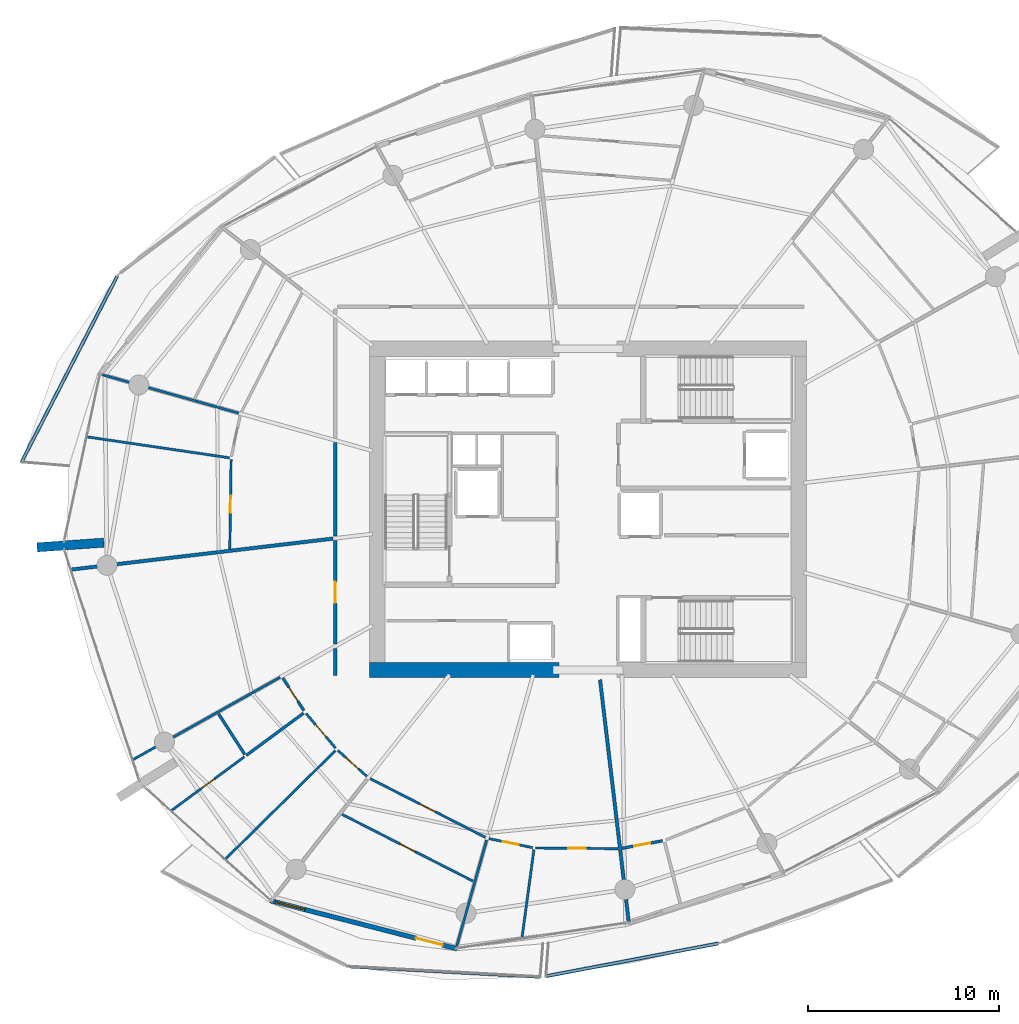
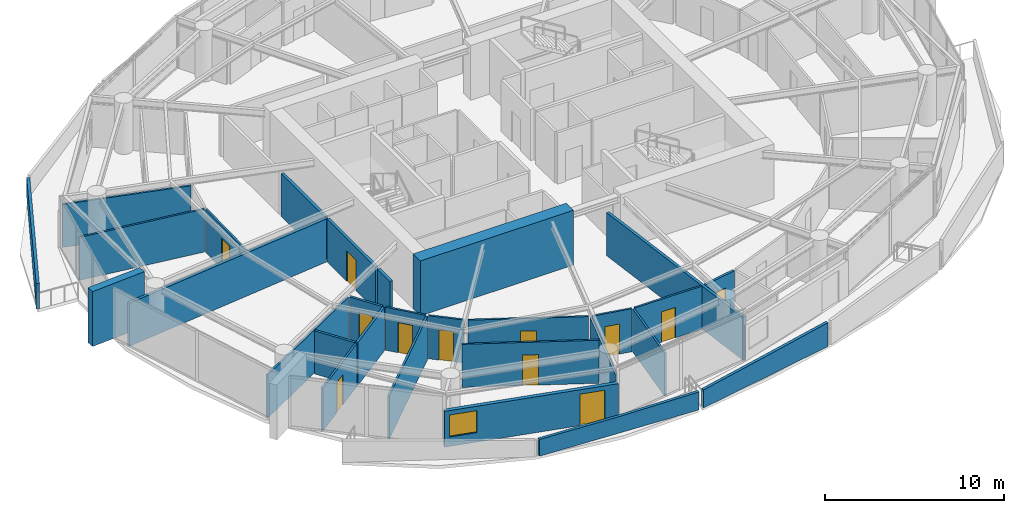
# One storey, part 11 of 20: 29 walls, 12 doors, 1 window, 13 openings.
"""IFC4 building model written with IfcOpenShell, lengths in metres."""

from ifc_helpers import new_model, si_unit, direction, frame, frame_2d, origin, place, context, subcontext, project, spatial, polyline, rectangle, outline, extrude, material, layer, layer_set, type_object, element, fill, save


model = new_model("IFC4")

# Units and contexts
model_context = context("Model", 3, precision=1e-05, world=origin(), true_north=direction((0.0, 1.0)))
body_context = subcontext(model_context, "Body", "Model", "MODEL_VIEW")
ifc_project = project(units=[si_unit("LENGTHUNIT", "METRE"), si_unit("AREAUNIT", "SQUARE_METRE"), si_unit("VOLUMEUNIT", "CUBIC_METRE"), si_unit("PLANEANGLEUNIT", "RADIAN"), si_unit("MASSUNIT", "GRAM", prefix="KILO")], contexts=[model_context])

# Site, building, storey
site_placement = place(None, origin())
site = spatial("IfcSite", under=ifc_project, at=site_placement, CompositionType="ELEMENT")
building_placement = place(site_placement, origin())
building = spatial("IfcBuilding", under=site, at=building_placement, Name="Kazma Halo Residences", CompositionType="ELEMENT")
storey_placement = place(building_placement, frame((0.0, 0.0, 161.550048828125)))
storey = spatial("IfcBuildingStorey", under=building, at=storey_placement, Name="L40", CompositionType="ELEMENT", Elevation=161.550048828125)

# Walls
ifc_material_1 = material(Name="White Concrete C50/60 Balustrade", Category="concrete")
ifc_layer_1 = layer(ifc_material_1, 0.179931640625)
ifc_layer_set_1 = layer_set([ifc_layer_1], Name="White Concrete C50/60 Balustrade")
wall_type_1 = type_object("IfcWallType", Name="WL-BAL-WAVE-180", PredefinedType="PARAPET", material=ifc_layer_set_1)
wall_1_placement = place(storey_placement, frame((23.795654296875, 54.197998046875, 0.0), z_axis=(0.0, 0.0, 1.0), x_axis=(-0.457378798552, -0.88927196888, 0.0)))
element("IfcWall", 1, at=wall_1_placement, inside=storey, type_object=wall_type_1, Name="L40 white wave balustrade wall NW.2", PredefinedType="PARAPET", context=body_context, shape_type="SweptSolid", body=[
    extrude(outline(polyline([(0.0, 0.0), (10.93017578125, 0.0), (10.930419921875, 1.7470703125), (5.465087890625, 1.56201171875), (0.0, 1.347900390625), (0.0, 0.0)])), frame((0.0, 0.08984375, 0.0), z_axis=(0.0, -1.0, 0.0), x_axis=(1.0, 0.0, 0.0)), (0.0, 0.0, 1.0), 0.179931640625),
])
wall_2_placement = place(storey_placement, frame((35.94287109375, 18.0947265625, 0.0), z_axis=(0.0, 0.0, 1.0), x_axis=(0.998521425171, -0.05435957574, 0.0)))
element("IfcWall", 2, at=wall_2_placement, inside=storey, type_object=wall_type_1, Name="L40 white wave balustrade wall SW.2", PredefinedType="PARAPET", context=body_context, shape_type="SweptSolid", body=[
    extrude(outline(polyline([(0.0, 0.0), (9.99755859375, 0.0), (9.99755859375, 1.223876953125), (4.998779296875, 1.126953125), (0.0, 1.14794921875), (0.0, 0.0)])), frame((0.0, 0.08984375, 0.0), z_axis=(0.0, -1.0, 0.0), x_axis=(1.0, 0.0, 0.0)), (0.0, 0.0, 1.0), 0.179931640625),
])
wall_3_placement = place(storey_placement, frame((46.228271484375, 17.582763671875, 0.0), z_axis=(0.0, 0.0, 1.0), x_axis=(0.982405045707, 0.186762753697, 0.0)))
element("IfcWall", 3, at=wall_3_placement, inside=storey, type_object=wall_type_1, Name="L40 white wave balustrade wall SSE.1", PredefinedType="PARAPET", context=body_context, shape_type="SweptSolid", body=[
    extrude(outline(polyline([(0.0, 0.0), (9.1845703125, 0.0), (9.184326171875, 1.6318359375), (4.59228515625, 1.41796875), (0.0, 1.23291015625), (0.0, 0.0)])), frame((0.0, 0.08984375, 0.0), z_axis=(0.0, -1.0, 0.0), x_axis=(1.0, 0.0, 0.0)), (0.0, 0.0, 1.0), 0.179931640625),
])
ifc_material_2 = material(Name="Pale Concrete C60/75", Category="concrete")
ifc_layer_2 = layer(ifc_material_2, 0.47998046875)
ifc_layer_set_2 = layer_set([ifc_layer_2], Name="Pale Concrete C60/75")
wall_type_2 = type_object("IfcWallType", Name="WL-BLADE-480", PredefinedType="SOLIDWALL", material=ifc_layer_set_2)
wall_4_placement = place(storey_placement, frame((23.10302734375, 40.259033203125, 0.0), z_axis=(0.0, 0.0, 1.0), x_axis=(-0.997564163539, -0.069754853754, 0.0)))
element("IfcWall", 4, at=wall_4_placement, inside=storey, type_object=wall_type_2, Name="L40 pale concrete structural blade fin wall BW-02", PredefinedType="SOLIDWALL", context=body_context, shape_type="SweptSolid", body=[
    extrude(rectangle(XDim=3.5, YDim=0.47998046875, at=frame_2d((1.75, 0.0))), origin(), (0.0, 0.0, 1.0), 3.75),
])
ifc_material_3 = material(Name="Concrete C80/95", Category="concrete")
ifc_layer_3 = layer(ifc_material_3, 0.800048828125)
ifc_layer_set_3 = layer_set([ifc_layer_3], Name="Concrete C80/95")
wall_type_3 = type_object("IfcWallType", Name="WL-CORE-800", PredefinedType="SHEAR", material=ifc_layer_set_3)
wall_5_placement = place(storey_placement, frame((37.0, 33.60009765625, 0.0), z_axis=(0.0, 0.0, 1.0), x_axis=(1.0, 0.0, 0.0)))
element("IfcWall", 5, at=wall_5_placement, inside=storey, type_object=wall_type_3, Name="L40 central core shear wall SW", PredefinedType="SHEAR", context=body_context, shape_type="SweptSolid", body=[
    extrude(rectangle(XDim=9.89990234375, YDim=0.800048828125, at=frame_2d((4.949951171875, 0.0))), origin(), (0.0, 0.0, 1.0), 3.75),
])
ifc_material_4 = material(Name="Acoustic Twin-Stud Gypsum")
ifc_layer_4 = layer(ifc_material_4, 0.179931640625)
ifc_layer_set_4 = layer_set([ifc_layer_4], Name="Acoustic Twin-Stud Gypsum")
wall_type_4 = type_object("IfcWallType", Name="WL-DEM-180", PredefinedType="PARTITIONING", material=ifc_layer_set_4)
wall_6_placement = place(storey_placement, frame((35.0908203125, 40.47216796875, 0.0), z_axis=(0.0, 0.0, 1.0), x_axis=(-0.993067434621, -0.11754603479, 0.0)))
element("IfcWall", 6, at=wall_6_placement, inside=storey, type_object=wall_type_4, Name="L40 apartment demising radial wall 07", PredefinedType="PARTITIONING", context=body_context, shape_type="SweptSolid", body=[
    extrude(rectangle(XDim=13.786865234375, YDim=0.179931640625, at=frame_2d((6.8935546875, 0.0))), origin(), (0.0, 0.0, 1.0), 2.93994140625),
])
wall_7_placement = place(storey_placement, frame((49.054443359375, 33.0908203125, 0.0), z_axis=(0.0, 0.0, 1.0), x_axis=(0.117543744731, -0.993067705685, 0.0)))
element("IfcWall", 7, at=wall_7_placement, inside=storey, type_object=wall_type_4, Name="L40 apartment demising radial wall 11", PredefinedType="PARTITIONING", context=body_context, shape_type="SweptSolid", body=[
    extrude(rectangle(XDim=12.76318359375, YDim=0.179931640625, at=frame_2d((6.381591796875, 0.0))), origin(), (0.0, 0.0, 1.0), 2.93994140625),
])
wall_8_placement = place(storey_placement, frame((35.199951171875, 45.489990234375, 0.0), z_axis=(0.0, 0.0, 1.0), x_axis=(0.0, -1.0, 0.0)))
element("IfcWall", 8, at=wall_8_placement, inside=storey, type_object=wall_type_4, Name="L40 Apartment 1 inner wall 6", PredefinedType="PARTITIONING", context=body_context, shape_type="SweptSolid", body=[
    extrude(rectangle(XDim=4.885009765625, YDim=0.179931640625, at=frame_2d((2.4423828125, 0.0))), origin(), (0.0, 0.0, 1.0), 2.93994140625),
])

# Wall, opening, door
wall_9_placement = place(storey_placement, frame((35.199951171875, 40.364990234375, 0.0), z_axis=(0.0, 0.0, 1.0), x_axis=(0.0, -1.0, 0.0)))
wall_9 = element("IfcWall", 9, at=wall_9_placement, inside=storey, type_object=wall_type_4, Name="L40 Apartment 2 entrance corridor wall", PredefinedType="PARTITIONING", context=body_context, shape_type="SweptSolid", body=[
    extrude(rectangle(XDim=5.413330078125, YDim=0.179931640625, at=frame_2d((2.70654296875, 0.0))), origin(), (0.0, 0.0, 1.0), 2.93994140625),
])
opening_1_placement = place(wall_9_placement, frame((2.156494140625, 0.0, 0.0)))
opening_1 = element("IfcOpeningElement", 10, at=opening_1_placement, cuts=wall_9, Name="Opening DA-1100", PredefinedType="OPENING", context=body_context, shape_type="SweptSolid", body=[
    extrude(rectangle(XDim=1.10009765625, YDim=2.10009765625, at=frame_2d((0.550048828125, 1.050048828125))), frame((0.0, 0.099853515625, 0.0), z_axis=(0.0, -1.0, 0.0), x_axis=(1.0, 0.0, 0.0)), (0.0, 0.0, 1.0), 0.199951171875),
])
ifc_material_5 = material(Name="Acoustic Walnut Fire Leaf")
door_type_1 = type_object("IfcDoorType", Name="DR-FD60-1100", OperationType="NOTDEFINED", PredefinedType="DOOR", material=ifc_material_5)
door_1_placement = place(opening_1_placement, origin())
door_1 = element("IfcDoor", 11, at=door_1_placement, inside=storey, type_object=door_type_1, Name="L40 Apartment 2 entrance fire door", OperationType="SINGLE_SWING_LEFT", OverallHeight=2.10009765625, OverallWidth=1.10009765625, PredefinedType="DOOR", context=body_context, shape_type="SweptSolid", body=[
    extrude(rectangle(XDim=1.10009765625, YDim=2.10009765625, at=frame_2d((0.550048828125, 1.050048828125))), frame((0.0, 0.02490234375, 0.0), z_axis=(0.0, -1.0, 0.0), x_axis=(1.0, 0.0, 0.0)), (0.0, 0.0, 1.0), 0.050048828125),
])
fill(opening_1, door_1)

# Wall
wall_10_placement = place(storey_placement, frame((35.199951171875, 34.711669921875, 0.0), z_axis=(0.0, 0.0, 1.0), x_axis=(0.0, -1.0, 0.0)))
element("IfcWall", 12, at=wall_10_placement, inside=storey, type_object=wall_type_4, Name="L40 Apartment 2 inner wall 8", PredefinedType="PARTITIONING", context=body_context, shape_type="SweptSolid", body=[
    extrude(rectangle(XDim=1.3916015625, YDim=0.179931640625, at=frame_2d((0.69580078125, 0.0))), origin(), (0.0, 0.0, 1.0), 2.93994140625),
])

# Wall, openings, door, window
ifc_material_6 = material(Name="Insulated Pale-Metal Composite Wall")
ifc_layer_5 = layer(ifc_material_6, 0.239990234375)
ifc_layer_set_5 = layer_set([ifc_layer_5], Name="Insulated Pale-Metal Composite Wall")
wall_type_5 = type_object("IfcWallType", Name="WL-EXT-HOST-240", PredefinedType="SOLIDWALL", material=ifc_layer_set_5)
wall_11_placement = place(storey_placement, frame((31.807861328125, 21.5341796875, 0.0), z_axis=(0.0, 0.0, 1.0), x_axis=(0.968379685126, -0.249481032214, 0.0)))
wall_11 = element("IfcWall", 13, at=wall_11_placement, inside=storey, type_object=wall_type_5, Name="L40 exterior terrace-access wall B10", PredefinedType="SOLIDWALL", context=body_context, shape_type="SweptSolid", body=[
    extrude(rectangle(XDim=10.08154296875, YDim=0.239990234375, at=frame_2d((5.040771484375, 0.0))), origin(), (0.0, 0.0, 1.0), 2.449951171875),
])
opening_2_placement = place(wall_11_placement, frame((7.861572265625, 0.0, 0.0)))
opening_2 = element("IfcOpeningElement", 14, at=opening_2_placement, cuts=wall_11, Name="Opening DTR-1600", PredefinedType="OPENING", context=body_context, shape_type="SweptSolid", body=[
    extrude(rectangle(XDim=1.449951171875, YDim=2.14990234375, at=frame_2d((0.72509765625, 1.074951171875))), frame((0.0, 0.1298828125, 0.0), z_axis=(0.0, -1.0, 0.0), x_axis=(1.0, 0.0, 0.0)), (0.0, 0.0, 1.0), 0.260009765625),
])
opening_3_placement = place(wall_11_placement, frame((0.280029296875, 0.0, 0.64990234375)))
opening_3 = element("IfcOpeningElement", 15, at=opening_3_placement, cuts=wall_11, Name="Opening W-1800", PredefinedType="OPENING", context=body_context, shape_type="SweptSolid", body=[
    extrude(rectangle(XDim=1.60009765625, YDim=1.5, at=frame_2d((0.800048828125, 0.75))), frame((0.0, 0.1298828125, 0.0), z_axis=(0.0, -1.0, 0.0), x_axis=(1.0, 0.0, 0.0)), (0.0, 0.0, 1.0), 0.260009765625),
])
ifc_material_7 = material(Name="Aluminium AW-6063 T6 Double-Glazed Terrace Door", Category="aluminium")
door_type_2 = type_object("IfcDoorType", Name="DR-EXT-TERR-1600", OperationType="NOTDEFINED", PredefinedType="DOOR", material=ifc_material_7)
door_2_placement = place(opening_2_placement, origin())
door_2 = element("IfcDoor", 16, at=door_2_placement, inside=storey, type_object=door_type_2, Name="L40 B10 balcony terrace door", OperationType="DOUBLE_DOOR_SLIDING", OverallHeight=2.14990234375, OverallWidth=1.449951171875, PredefinedType="DOOR", context=body_context, shape_type="SweptSolid", body=[
    extrude(rectangle(XDim=1.449951171875, YDim=2.14990234375, at=frame_2d((0.72509765625, 1.074951171875))), frame((0.0, 0.02490234375, 0.0), z_axis=(0.0, -1.0, 0.0), x_axis=(1.0, 0.0, 0.0)), (0.0, 0.0, 1.0), 0.050048828125),
])
fill(opening_2, door_2)
ifc_material_8 = material(Name="Clear Triple-Silver Low-E Glass in Aluminium AW-6063 T6 Frame", Category="aluminium")
window_type = type_object("IfcWindowType", Name="WIN-RES-1800", PartitioningType="DOUBLE_PANEL_VERTICAL", PredefinedType="WINDOW", material=ifc_material_8)
window_placement = place(opening_3_placement, origin())
window = element("IfcWindow", 17, at=window_placement, inside=storey, type_object=window_type, Name="L40 B10 apartment window", OverallHeight=1.5, OverallWidth=1.60009765625, PartitioningType="SINGLE_PANEL", PredefinedType="WINDOW", context=body_context, shape_type="SweptSolid", body=[
    extrude(rectangle(XDim=1.60009765625, YDim=1.5, at=frame_2d((0.800048828125, 0.75))), frame((0.0, 0.030029296875, 0.0), z_axis=(0.0, -1.0, 0.0), x_axis=(1.0, 0.0, 0.0)), (0.0, 0.0, 1.0), 0.06005859375),
])
fill(opening_3, window)

# Walls
ifc_material_9 = material(Name="Gypsum Plasterboard Partition")
ifc_layer_6 = layer(ifc_material_9, 0.125)
ifc_layer_set_6 = layer_set([ifc_layer_6], Name="Gypsum Plasterboard Partition")
wall_type_6 = type_object("IfcWallType", Name="WL-PART-125", PredefinedType="PARTITIONING", material=ifc_layer_set_6)
wall_12_placement = place(storey_placement, frame((30.156982421875, 47.0322265625, 0.0), z_axis=(0.0, 0.0, 1.0), x_axis=(-0.962456736489, 0.271435131084, 0.0)))
element("IfcWall", 18, at=wall_12_placement, inside=storey, type_object=wall_type_6, Name="L40 Apartment 1 radial partition 6", PredefinedType="PARTITIONING", context=body_context, shape_type="SweptSolid", body=[
    extrude(rectangle(XDim=7.412353515625, YDim=0.125, at=frame_2d((3.7060546875, 0.0))), origin(), (0.0, 0.0, 1.0), 2.93994140625),
])
wall_13_placement = place(storey_placement, frame((29.66845703125, 44.697265625, 0.0), z_axis=(0.0, 0.0, 1.0), x_axis=(-0.989352403942, 0.145539756815, 0.0)))
element("IfcWall", 19, at=wall_13_placement, inside=storey, type_object=wall_type_6, Name="L40 Apartment 1 mid-bay wall 6", PredefinedType="PARTITIONING", context=body_context, shape_type="SweptSolid", body=[
    extrude(rectangle(XDim=7.525146484375, YDim=0.125, at=frame_2d((3.7626953125, 0.0))), origin(), (0.0, 0.0, 1.0), 2.93994140625),
])

# Wall, opening, door
wall_14_placement = place(storey_placement, frame((29.75634765625, 44.60400390625, 0.0), z_axis=(0.0, 0.0, 1.0), x_axis=(-0.014161849223, -0.999899715985, 0.0)))
wall_14 = element("IfcWall", 20, at=wall_14_placement, inside=storey, type_object=wall_type_6, Name="L40 Apartment 1 South Formal Dining Room hall wall", PredefinedType="PARTITIONING", context=body_context, shape_type="SweptSolid", body=[
    extrude(rectangle(XDim=4.671875, YDim=0.125, at=frame_2d((2.3359375, 0.0))), origin(), (0.0, 0.0, 1.0), 2.93994140625),
])
opening_4_placement = place(wall_14_placement, frame((1.885986328125, 0.0, 0.0)))
opening_4 = element("IfcOpeningElement", 21, at=opening_4_placement, cuts=wall_14, Name="Opening DI-950", PredefinedType="OPENING", context=body_context, shape_type="SweptSolid", body=[
    extrude(rectangle(XDim=0.89990234375, YDim=2.080078125, at=frame_2d((0.449951171875, 1.0400390625))), frame((0.0, 0.072509765625, 0.0), z_axis=(0.0, -1.0, 0.0), x_axis=(1.0, 0.0, 0.0)), (0.0, 0.0, 1.0), 0.14501953125),
])
ifc_material_10 = material(Name="Timber Veneer Flush Leaf", Category="wood")
door_type_3 = type_object("IfcDoorType", Name="DR-INT-950", OperationType="NOTDEFINED", PredefinedType="DOOR", material=ifc_material_10)
door_3_placement = place(opening_4_placement, origin())
door_3 = element("IfcDoor", 22, at=door_3_placement, inside=storey, type_object=door_type_3, Name="L40 Apartment 1 South Formal Dining Room door", OperationType="SINGLE_SWING_RIGHT", OverallHeight=2.080078125, OverallWidth=0.89990234375, PredefinedType="DOOR", context=body_context, shape_type="SweptSolid", body=[
    extrude(rectangle(XDim=0.89990234375, YDim=2.080078125, at=frame_2d((0.449951171875, 1.0400390625))), frame((0.0, 0.02490234375, 0.0), z_axis=(0.0, -1.0, 0.0), x_axis=(1.0, 0.0, 0.0)), (0.0, 0.0, 1.0), 0.050048828125),
])
fill(opening_4, door_3)

# Wall
wall_15_placement = place(storey_placement, frame((32.3212890625, 33.219482421875, 0.0), z_axis=(0.0, 0.0, 1.0), x_axis=(-0.872493265844, -0.488626136281, 0.0)))
element("IfcWall", 23, at=wall_15_placement, inside=storey, type_object=wall_type_6, Name="L40 Apartment 2 radial partition 8", PredefinedType="PARTITIONING", context=body_context, shape_type="SweptSolid", body=[
    extrude(rectangle(XDim=8.816162109375, YDim=0.125, at=frame_2d((4.408203125, 0.0))), origin(), (0.0, 0.0, 1.0), 2.93994140625),
])

# Wall, opening, door
wall_16_placement = place(storey_placement, frame((30.4462890625, 29.055908203125, 0.0), z_axis=(0.0, 0.0, 1.0), x_axis=(-0.804837038538, -0.593495864684, 0.0)))
wall_16 = element("IfcWall", 24, at=wall_16_placement, inside=storey, type_object=wall_type_6, Name="L40 Apartment 2 Utility Laundry Room partition wall", PredefinedType="PARTITIONING", context=body_context, shape_type="SweptSolid", body=[
    extrude(rectangle(XDim=4.740966796875, YDim=0.125, at=frame_2d((2.37060546875, 0.0))), origin(), (0.0, 0.0, 1.0), 2.93994140625),
])
opening_5_placement = place(wall_16_placement, frame((1.945556640625, 0.0, 0.0)))
opening_5 = element("IfcOpeningElement", 25, at=opening_5_placement, cuts=wall_16, Name="Opening DB-900", PredefinedType="OPENING", context=body_context, shape_type="SweptSolid", body=[
    extrude(rectangle(XDim=0.85009765625, YDim=2.06005859375, at=frame_2d((0.425048828125, 1.030029296875))), frame((0.0, 0.072509765625, 0.0), z_axis=(0.0, -1.0, 0.0), x_axis=(1.0, 0.0, 0.0)), (0.0, 0.0, 1.0), 0.14501953125),
])
ifc_material_11 = material(Name="Moisture-Sealed Timber Leaf", Category="wood")
door_type_4 = type_object("IfcDoorType", Name="DR-BTH-900", OperationType="NOTDEFINED", PredefinedType="DOOR", material=ifc_material_11)
door_4_placement = place(opening_5_placement, origin())
door_4 = element("IfcDoor", 26, at=door_4_placement, inside=storey, type_object=door_type_4, Name="L40 Apartment 2 Utility Laundry Room door", OperationType="SINGLE_SWING_RIGHT", OverallHeight=2.06005859375, OverallWidth=0.85009765625, PredefinedType="DOOR", context=body_context, shape_type="SweptSolid", body=[
    extrude(rectangle(XDim=0.85009765625, YDim=2.06005859375, at=frame_2d((0.425048828125, 1.030029296875))), frame((0.0, 0.02490234375, 0.0), z_axis=(0.0, -1.0, 0.0), x_axis=(1.0, 0.0, 0.0)), (0.0, 0.0, 1.0), 0.050048828125),
])
fill(opening_5, door_4)

# Wall
wall_17_placement = place(storey_placement, frame((35.215087890625, 29.385986328125, 0.0), z_axis=(0.0, 0.0, 1.0), x_axis=(-0.711845690147, -0.702335897857, 0.0)))
element("IfcWall", 27, at=wall_17_placement, inside=storey, type_object=wall_type_6, Name="L40 Apartment 2 suite divider 8", PredefinedType="PARTITIONING", context=body_context, shape_type="SweptSolid", body=[
    extrude(rectangle(XDim=8.0869140625, YDim=0.125, at=frame_2d((4.04345703125, 0.0))), origin(), (0.0, 0.0, 1.0), 2.93994140625),
])

# Wall, opening, door
wall_18_placement = place(storey_placement, frame((33.676025390625, 31.325927734375, 0.0), z_axis=(0.0, 0.0, 1.0), x_axis=(0.649527713292, -0.760337918077, 0.0)))
wall_18 = element("IfcWall", 28, at=wall_18_placement, inside=storey, type_object=wall_type_6, Name="L40 Apartment 2 Gourmet Kitchen hall wall", PredefinedType="PARTITIONING", context=body_context, shape_type="SweptSolid", body=[
    extrude(rectangle(XDim=2.38818359375, YDim=0.125, at=frame_2d((1.194091796875, 0.0))), origin(), (0.0, 0.0, 1.0), 2.93994140625),
])
opening_6_placement = place(wall_18_placement, frame((0.76904296875, 0.0, 0.0)))
opening_6 = element("IfcOpeningElement", 29, at=opening_6_placement, cuts=wall_18, Name="Opening DB-900", PredefinedType="OPENING", context=body_context, shape_type="SweptSolid", body=[
    extrude(rectangle(XDim=0.85009765625, YDim=2.06005859375, at=frame_2d((0.425048828125, 1.030029296875))), frame((0.0, 0.072509765625, 0.0), z_axis=(0.0, -1.0, 0.0), x_axis=(1.0, 0.0, 0.0)), (0.0, 0.0, 1.0), 0.14501953125),
])
door_5_placement = place(opening_6_placement, origin())
door_5 = element("IfcDoor", 30, at=door_5_placement, inside=storey, type_object=door_type_4, Name="L40 Apartment 2 Gourmet Kitchen door", OperationType="SINGLE_SWING_LEFT", OverallHeight=2.06005859375, OverallWidth=0.85009765625, PredefinedType="DOOR", context=body_context, shape_type="SweptSolid", body=[
    extrude(rectangle(XDim=0.85009765625, YDim=2.06005859375, at=frame_2d((0.425048828125, 1.030029296875))), frame((0.0, 0.02490234375, 0.0), z_axis=(0.0, -1.0, 0.0), x_axis=(1.0, 0.0, 0.0)), (0.0, 0.0, 1.0), 0.050048828125),
])
fill(opening_6, door_5)

wall_19_placement = place(storey_placement, frame((35.3388671875, 29.39599609375, 0.0), z_axis=(0.0, 0.0, 1.0), x_axis=(0.745310033914, -0.666718046364, 0.0)))
wall_19 = element("IfcWall", 31, at=wall_19_placement, inside=storey, type_object=wall_type_6, Name="L40 Apartment 2 Primary Bedroom hall wall", PredefinedType="PARTITIONING", context=body_context, shape_type="SweptSolid", body=[
    extrude(rectangle(XDim=2.0439453125, YDim=0.125, at=frame_2d((1.02197265625, 0.0))), origin(), (0.0, 0.0, 1.0), 2.93994140625),
])
opening_7_placement = place(wall_19_placement, frame((0.596923828125, 0.0, 0.0)))
opening_7 = element("IfcOpeningElement", 32, at=opening_7_placement, cuts=wall_19, Name="Opening DB-900", PredefinedType="OPENING", context=body_context, shape_type="SweptSolid", body=[
    extrude(rectangle(XDim=0.85009765625, YDim=2.06005859375, at=frame_2d((0.425048828125, 1.030029296875))), frame((0.0, 0.072509765625, 0.0), z_axis=(0.0, -1.0, 0.0), x_axis=(1.0, 0.0, 0.0)), (0.0, 0.0, 1.0), 0.14501953125),
])
door_6_placement = place(opening_7_placement, origin())
door_6 = element("IfcDoor", 33, at=door_6_placement, inside=storey, type_object=door_type_4, Name="L40 Apartment 2 Primary Bedroom door", OperationType="SINGLE_SWING_RIGHT", OverallHeight=2.06005859375, OverallWidth=0.85009765625, PredefinedType="DOOR", context=body_context, shape_type="SweptSolid", body=[
    extrude(rectangle(XDim=0.85009765625, YDim=2.06005859375, at=frame_2d((0.425048828125, 1.030029296875))), frame((0.0, 0.02490234375, 0.0), z_axis=(0.0, -1.0, 0.0), x_axis=(1.0, 0.0, 0.0)), (0.0, 0.0, 1.0), 0.050048828125),
])
fill(opening_7, door_6)

wall_20_placement = place(storey_placement, frame((37.034912109375, 27.91650390625, 0.0), z_axis=(0.0, 0.0, 1.0), x_axis=(0.89100279738, -0.453997813939, 0.0)))
wall_20 = element("IfcWall", 34, at=wall_20_placement, inside=storey, type_object=wall_type_6, Name="L40 Apartment 2 Primary Study hall wall", PredefinedType="PARTITIONING", context=body_context, shape_type="SweptSolid", body=[
    extrude(rectangle(XDim=6.752685546875, YDim=0.125, at=frame_2d((3.37646484375, 0.0))), origin(), (0.0, 0.0, 1.0), 2.93994140625),
])
opening_8_placement = place(wall_20_placement, frame((2.92626953125, 0.0, 0.0)))
opening_8 = element("IfcOpeningElement", 35, at=opening_8_placement, cuts=wall_20, Name="Opening DI-950", PredefinedType="OPENING", context=body_context, shape_type="SweptSolid", body=[
    extrude(rectangle(XDim=0.89990234375, YDim=2.080078125, at=frame_2d((0.449951171875, 1.0400390625))), frame((0.0, 0.072509765625, 0.0), z_axis=(0.0, -1.0, 0.0), x_axis=(1.0, 0.0, 0.0)), (0.0, 0.0, 1.0), 0.14501953125),
])
door_7_placement = place(opening_8_placement, origin())
door_7 = element("IfcDoor", 36, at=door_7_placement, inside=storey, type_object=door_type_3, Name="L40 Apartment 2 Primary Study door", OperationType="SINGLE_SWING_RIGHT", OverallHeight=2.080078125, OverallWidth=0.89990234375, PredefinedType="DOOR", context=body_context, shape_type="SweptSolid", body=[
    extrude(rectangle(XDim=0.89990234375, YDim=2.080078125, at=frame_2d((0.449951171875, 1.0400390625))), frame((0.0, 0.02490234375, 0.0), z_axis=(0.0, -1.0, 0.0), x_axis=(1.0, 0.0, 0.0)), (0.0, 0.0, 1.0), 0.050048828125),
])
fill(opening_8, door_7)

wall_21_placement = place(storey_placement, frame((35.561279296875, 26.04736328125, 0.0), z_axis=(0.0, 0.0, 1.0), x_axis=(0.891013298813, -0.453977203544, 0.0)))
wall_21 = element("IfcWall", 37, at=wall_21_placement, inside=storey, type_object=wall_type_6, Name="L40 Apartment 2 Secondary Master Bedroom divider wall", PredefinedType="PARTITIONING", context=body_context, shape_type="SweptSolid", body=[
    extrude(rectangle(XDim=7.68115234375, YDim=0.125, at=frame_2d((3.840576171875, 0.0))), origin(), (0.0, 0.0, 1.0), 2.93994140625),
])
opening_9_placement = place(wall_21_placement, frame((3.390625, 0.0, 0.0)))
opening_9 = element("IfcOpeningElement", 38, at=opening_9_placement, cuts=wall_21, Name="Opening DI-950", PredefinedType="OPENING", context=body_context, shape_type="SweptSolid", body=[
    extrude(rectangle(XDim=0.89990234375, YDim=2.080078125, at=frame_2d((0.449951171875, 1.0400390625))), frame((0.0, 0.072509765625, 0.0), z_axis=(0.0, -1.0, 0.0), x_axis=(1.0, 0.0, 0.0)), (0.0, 0.0, 1.0), 0.14501953125),
])
door_8_placement = place(opening_9_placement, origin())
door_8 = element("IfcDoor", 39, at=door_8_placement, inside=storey, type_object=door_type_3, Name="L40 Apartment 2 Secondary Master Bedroom door", OperationType="SINGLE_SWING_LEFT", OverallHeight=2.080078125, OverallWidth=0.89990234375, PredefinedType="DOOR", context=body_context, shape_type="SweptSolid", body=[
    extrude(rectangle(XDim=0.89990234375, YDim=2.080078125, at=frame_2d((0.449951171875, 1.0400390625))), frame((0.0, 0.02490234375, 0.0), z_axis=(0.0, -1.0, 0.0), x_axis=(1.0, 0.0, 0.0)), (0.0, 0.0, 1.0), 0.050048828125),
])
fill(opening_9, door_8)

# Walls
wall_22_placement = place(storey_placement, frame((43.122314453125, 24.70458984375, 0.0), z_axis=(0.0, 0.0, 1.0), x_axis=(-0.271461170106, -0.962449392501, 0.0)))
element("IfcWall", 40, at=wall_22_placement, inside=storey, type_object=wall_type_6, Name="L40 Apartment 2 radial partition 10", PredefinedType="PARTITIONING", context=body_context, shape_type="SweptSolid", body=[
    extrude(rectangle(XDim=5.769287109375, YDim=0.125, at=frame_2d((2.884765625, 0.0))), origin(), (0.0, 0.0, 1.0), 2.93994140625),
])
wall_23_placement = place(storey_placement, frame((45.59521484375, 24.20166015625, 0.0), z_axis=(0.0, 0.0, 1.0), x_axis=(-0.133913732336, -0.990992993059, 0.0)))
element("IfcWall", 41, at=wall_23_placement, inside=storey, type_object=wall_type_6, Name="L40 Apartment 2 mid-bay wall 10", PredefinedType="PARTITIONING", context=body_context, shape_type="SweptSolid", body=[
    extrude(rectangle(XDim=4.6689453125, YDim=0.125, at=frame_2d((2.33447265625, 0.0))), origin(), (0.0, 0.0, 1.0), 2.93994140625),
])

# Wall, opening, door
wall_24_placement = place(storey_placement, frame((43.247314453125, 24.780517578125, 0.0), z_axis=(0.0, 0.0, 1.0), x_axis=(0.979144850172, -0.203163388388, 0.0)))
wall_24 = element("IfcWall", 42, at=wall_24_placement, inside=storey, type_object=wall_type_6, Name="L40 Apartment 2 East Bedroom hall wall", PredefinedType="PARTITIONING", context=body_context, shape_type="SweptSolid", body=[
    extrude(rectangle(XDim=2.330078125, YDim=0.125, at=frame_2d((1.1650390625, 0.0))), origin(), (0.0, 0.0, 1.0), 2.93994140625),
])
opening_10_placement = place(wall_24_placement, frame((0.739990234375, 0.0, 0.0)))
opening_10 = element("IfcOpeningElement", 43, at=opening_10_placement, cuts=wall_24, Name="Opening DB-900", PredefinedType="OPENING", context=body_context, shape_type="SweptSolid", body=[
    extrude(rectangle(XDim=0.85009765625, YDim=2.06005859375, at=frame_2d((0.425048828125, 1.030029296875))), frame((0.0, 0.072509765625, 0.0), z_axis=(0.0, -1.0, 0.0), x_axis=(1.0, 0.0, 0.0)), (0.0, 0.0, 1.0), 0.14501953125),
])
door_9_placement = place(opening_10_placement, origin())
door_9 = element("IfcDoor", 44, at=door_9_placement, inside=storey, type_object=door_type_4, Name="L40 Apartment 2 East Bedroom door", OperationType="SINGLE_SWING_LEFT", OverallHeight=2.06005859375, OverallWidth=0.85009765625, PredefinedType="DOOR", context=body_context, shape_type="SweptSolid", body=[
    extrude(rectangle(XDim=0.85009765625, YDim=2.06005859375, at=frame_2d((0.425048828125, 1.030029296875))), frame((0.0, 0.02490234375, 0.0), z_axis=(0.0, -1.0, 0.0), x_axis=(1.0, 0.0, 0.0)), (0.0, 0.0, 1.0), 0.050048828125),
])
fill(opening_10, door_9)

wall_25_placement = place(storey_placement, frame((45.687255859375, 24.290283203125, 0.0), z_axis=(0.0, 0.0, 1.0), x_axis=(0.999965854942, -0.008263712844, 0.0)))
wall_25 = element("IfcWall", 45, at=wall_25_placement, inside=storey, type_object=wall_type_6, Name="L40 Apartment 2 West Bedroom hall wall", PredefinedType="PARTITIONING", context=body_context, shape_type="SweptSolid", body=[
    extrude(rectangle(XDim=4.3134765625, YDim=0.125, at=frame_2d((2.15673828125, 0.0))), origin(), (0.0, 0.0, 1.0), 2.93994140625),
])
opening_11_placement = place(wall_25_placement, frame((1.706787109375, 0.0, 0.0)))
opening_11 = element("IfcOpeningElement", 46, at=opening_11_placement, cuts=wall_25, Name="Opening DI-950", PredefinedType="OPENING", context=body_context, shape_type="SweptSolid", body=[
    extrude(rectangle(XDim=0.89990234375, YDim=2.080078125, at=frame_2d((0.449951171875, 1.0400390625))), frame((0.0, 0.072509765625, 0.0), z_axis=(0.0, -1.0, 0.0), x_axis=(1.0, 0.0, 0.0)), (0.0, 0.0, 1.0), 0.14501953125),
])
door_10_placement = place(opening_11_placement, origin())
door_10 = element("IfcDoor", 47, at=door_10_placement, inside=storey, type_object=door_type_3, Name="L40 Apartment 2 West Bedroom door", OperationType="SINGLE_SWING_RIGHT", OverallHeight=2.080078125, OverallWidth=0.89990234375, PredefinedType="DOOR", context=body_context, shape_type="SweptSolid", body=[
    extrude(rectangle(XDim=0.89990234375, YDim=2.080078125, at=frame_2d((0.449951171875, 1.0400390625))), frame((0.0, 0.02490234375, 0.0), z_axis=(0.0, -1.0, 0.0), x_axis=(1.0, 0.0, 0.0)), (0.0, 0.0, 1.0), 0.050048828125),
])
fill(opening_11, door_10)

ifc_material_12 = material(Name="Moisture-Resistant Gypsum")
ifc_layer_7 = layer(ifc_material_12, 0.14990234375)
ifc_layer_set_7 = layer_set([ifc_layer_7], Name="Moisture-Resistant Gypsum")
wall_type_7 = type_object("IfcWallType", Name="WL-WET-150", PredefinedType="PARTITIONING", material=ifc_layer_set_7)
wall_26_placement = place(storey_placement, frame((32.462646484375, 33.184326171875, 0.0), z_axis=(0.0, 0.0, 1.0), x_axis=(0.542099612135, -0.840314233203, 0.0)))
wall_26 = element("IfcWall", 48, at=wall_26_placement, inside=storey, type_object=wall_type_7, Name="L40 Apartment 2 Guest Bathroom hall wall", PredefinedType="PARTITIONING", context=body_context, shape_type="SweptSolid", body=[
    extrude(rectangle(XDim=2.0400390625, YDim=0.14990234375, at=frame_2d((1.02001953125, 0.0))), origin(), (0.0, 0.0, 1.0), 2.93994140625),
])
opening_12_placement = place(wall_26_placement, frame((0.59521484375, 0.0, 0.0)))
opening_12 = element("IfcOpeningElement", 49, at=opening_12_placement, cuts=wall_26, Name="Opening DB-900", PredefinedType="OPENING", context=body_context, shape_type="SweptSolid", body=[
    extrude(rectangle(XDim=0.85009765625, YDim=2.06005859375, at=frame_2d((0.425048828125, 1.030029296875))), frame((0.0, 0.0849609375, 0.0), z_axis=(0.0, -1.0, 0.0), x_axis=(1.0, 0.0, 0.0)), (0.0, 0.0, 1.0), 0.169921875),
])
door_11_placement = place(opening_12_placement, origin())
door_11 = element("IfcDoor", 50, at=door_11_placement, inside=storey, type_object=door_type_4, Name="L40 Apartment 2 Guest Bathroom door", OperationType="SINGLE_SWING_LEFT", OverallHeight=2.06005859375, OverallWidth=0.85009765625, PredefinedType="DOOR", context=body_context, shape_type="SweptSolid", body=[
    extrude(rectangle(XDim=0.85009765625, YDim=2.06005859375, at=frame_2d((0.425048828125, 1.030029296875))), frame((0.0, 0.02490234375, 0.0), z_axis=(0.0, -1.0, 0.0), x_axis=(1.0, 0.0, 0.0)), (0.0, 0.0, 1.0), 0.050048828125),
])
fill(opening_12, door_11)

# Walls
wall_27_placement = place(storey_placement, frame((29.103515625, 31.302978515625, 0.0), z_axis=(0.0, 0.0, 1.0), x_axis=(0.542142313724, -0.840286684216, 0.0)))
element("IfcWall", 51, at=wall_27_placement, inside=storey, type_object=wall_type_7, Name="L40 Apartment 2 Guest Bathroom back wall", PredefinedType="PARTITIONING", context=body_context, shape_type="SweptSolid", body=[
    extrude(rectangle(XDim=2.5205078125, YDim=0.14990234375, at=frame_2d((1.26025390625, 0.0))), origin(), (0.0, 0.0, 1.0), 2.93994140625),
])
wall_28_placement = place(storey_placement, frame((33.545166015625, 31.3408203125, 0.0), z_axis=(0.0, 0.0, 1.0), x_axis=(-0.804856199216, -0.593469880097, 0.0)))
element("IfcWall", 52, at=wall_28_placement, inside=storey, type_object=wall_type_7, Name="L40 Apartment 2 Guest Bathroom side wall", PredefinedType="PARTITIONING", context=body_context, shape_type="SweptSolid", body=[
    extrude(rectangle(XDim=3.72021484375, YDim=0.14990234375, at=frame_2d((1.860107421875, 0.0))), origin(), (0.0, 0.0, 1.0), 2.93994140625),
])

# Wall, opening, door
wall_29_placement = place(storey_placement, frame((50.19873046875, 24.272216796875, 0.0), z_axis=(0.0, 0.0, 1.0), x_axis=(0.98320468223, 0.182506309042, 0.0)))
wall_29 = element("IfcWall", 53, at=wall_29_placement, inside=storey, type_object=wall_type_7, Name="L40 Apartment 3 Guest Bathroom hall wall", PredefinedType="PARTITIONING", context=body_context, shape_type="SweptSolid", body=[
    extrude(rectangle(XDim=2.1591796875, YDim=0.14990234375, at=frame_2d((1.07958984375, 0.0))), origin(), (0.0, 0.0, 1.0), 2.93994140625),
])
opening_13_placement = place(wall_29_placement, frame((0.654541015625, 0.0, 0.0)))
opening_13 = element("IfcOpeningElement", 54, at=opening_13_placement, cuts=wall_29, Name="Opening DB-900", PredefinedType="OPENING", context=body_context, shape_type="SweptSolid", body=[
    extrude(rectangle(XDim=0.85009765625, YDim=2.06005859375, at=frame_2d((0.425048828125, 1.030029296875))), frame((0.0, 0.0849609375, 0.0), z_axis=(0.0, -1.0, 0.0), x_axis=(1.0, 0.0, 0.0)), (0.0, 0.0, 1.0), 0.169921875),
])
door_12_placement = place(opening_13_placement, origin())
door_12 = element("IfcDoor", 55, at=door_12_placement, inside=storey, type_object=door_type_4, Name="L40 Apartment 3 Guest Bathroom door", OperationType="SINGLE_SWING_RIGHT", OverallHeight=2.06005859375, OverallWidth=0.85009765625, PredefinedType="DOOR", context=body_context, shape_type="SweptSolid", body=[
    extrude(rectangle(XDim=0.85009765625, YDim=2.06005859375, at=frame_2d((0.425048828125, 1.030029296875))), frame((0.0, 0.02490234375, 0.0), z_axis=(0.0, -1.0, 0.0), x_axis=(1.0, 0.0, 0.0)), (0.0, 0.0, 1.0), 0.050048828125),
])
fill(opening_13, door_12)

save(model, "model.ifc")
